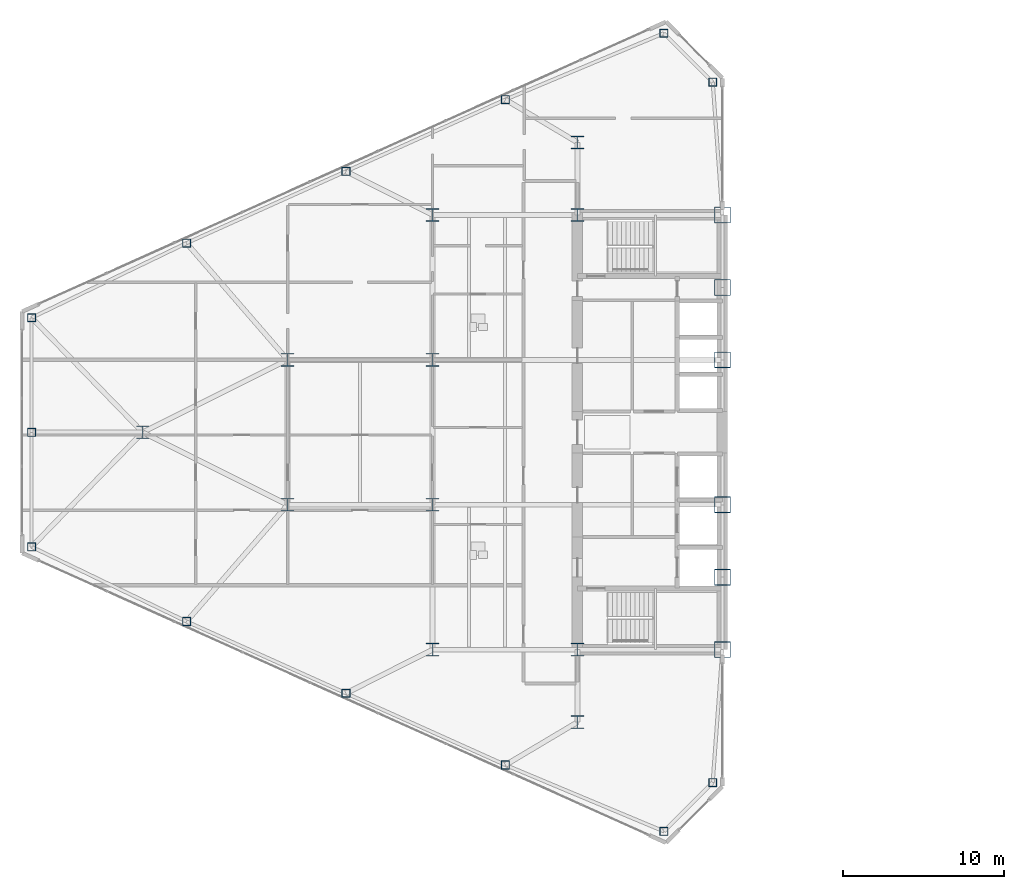
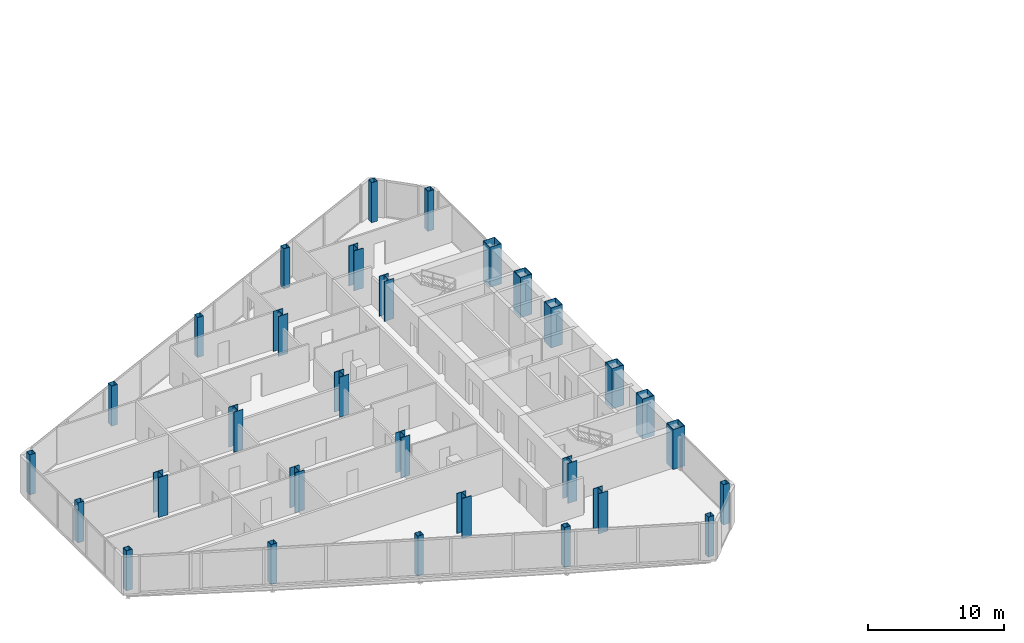
# One storey, part 1 of 27: 30 columns.
"""IFC4 building model written with IfcOpenShell, lengths in metres."""

from ifc_helpers import new_model, si_unit, direction, frame, origin, origin_2d, place, context, subcontext, project, spatial, hollow_rectangle, i_section, extrude, source, transform, mapped, material, material_profile, profile_set, type_object, type_shapes, element, save


model = new_model("IFC4")

# Units and contexts
model_context = context("Model", 3, precision=1e-05, world=origin(), true_north=direction((0.0, 1.0)))
body_context = subcontext(model_context, "Body", "Model", "MODEL_VIEW")
ifc_project = project(units=[si_unit("LENGTHUNIT", "METRE"), si_unit("AREAUNIT", "SQUARE_METRE"), si_unit("VOLUMEUNIT", "CUBIC_METRE"), si_unit("PLANEANGLEUNIT", "RADIAN"), si_unit("MASSUNIT", "GRAM", prefix="KILO")], contexts=[model_context])

# Site, building, storey
site_placement = place(None, origin())
site = spatial("IfcSite", under=ifc_project, at=site_placement, CompositionType="ELEMENT")
building_placement = place(site_placement, origin())
building = spatial("IfcBuilding", under=site, at=building_placement, Name="Seokmaru Belvedere", CompositionType="ELEMENT")
storey_placement = place(building_placement, frame((0.0, 0.0, 83.699951171875)))
storey = spatial("IfcBuildingStorey", under=building, at=storey_placement, Name="L22", CompositionType="ELEMENT", Elevation=83.699951171875)

# Columns
ifc_material_1 = material(Name="Steel SM355 (355 MPa)", Category="steel")
ifc_material_profile_1 = material_profile(ifc_material_1, hollow_rectangle(XDim=0.5, YDim=0.5, WallThickness=0.02001953125, at=origin_2d()), Name="HSS-500x500x20")
ifc_profile_set_1 = profile_set([ifc_material_profile_1], Name="Steel SM355 (355 MPa)")
column_type_1 = type_object("IfcColumnType", Name="Perimeter Facet Column HSS-500", PredefinedType="COLUMN", material=ifc_profile_set_1)
shared_shape_1 = source(origin(), body_context, "Body", "SweptSolid", [
    extrude(hollow_rectangle(XDim=0.5, YDim=0.5, WallThickness=0.02001953125, at=origin_2d()), origin(), (0.0, 0.0, 1.0), 3.60009765625),
])
type_shapes(column_type_1, [shared_shape_1])
for number, where, z_axis, x_axis, name in (
    (1, (-28.10009765625, -21.75146484375, 0.0), (0.0, 0.0, 1.0), (1.0, 0.0, 0.0), "L22 Column WF1"),
    (2, (-28.10009765625, 21.75146484375, 0.0), (0.0, 0.0, 1.0), (1.0, 0.0, 0.0), "L22 Column WF2"),
    (3, (-31.13134765625, 24.782958984375, 0.0), (0.0, 0.0, 1.0), (1.0, 0.0, 0.0), "L22 Column WF3"),
    (4, (-70.39990234375, 7.112060546875, 0.0), (0.0, 0.0, 1.0), (1.0, 0.0, 0.0), "L22 Column WF4"),
    (5, (-70.39990234375, -7.112060546875, 0.0), (0.0, 0.0, 1.0), (1.0, 0.0, 0.0), "L22 Column WF5"),
    (6, (-31.13134765625, -24.782958984375, 0.0), (0.0, 0.0, 1.0), (1.0, 0.0, 0.0), "L22 Column WF6"),
    (7, (-40.97265625, -20.661376953125, 0.0), (0.0, 0.0, 1.0), (1.0, 0.0, 0.0), "L22 Column WFLK_S1"),
    (8, (-50.875, -16.205322265625, 0.0), (0.0, 0.0, 1.0), (1.0, 0.0, 0.0), "L22 Column WFLK_S2"),
    (9, (-60.777587890625, -11.749267578125, 0.0), (0.0, 0.0, 1.0), (1.0, 0.0, 0.0), "L22 Column WFLK_S3"),
    (10, (-40.97265625, 20.661376953125, 0.0), (0.0, 0.0, 1.0), (1.0, 0.0, 0.0), "L22 Column WFLK_N1"),
    (11, (-50.875, 16.205322265625, 0.0), (0.0, 0.0, 1.0), (1.0, 0.0, 0.0), "L22 Column WFLK_N2"),
    (12, (-60.777587890625, 11.749267578125, 0.0), (0.0, 0.0, 1.0), (1.0, 0.0, 0.0), "L22 Column WFLK_N3"),
    (13, (-70.39990234375, 0.0, 0.0), (0.0, 0.0, 1.0), (1.0, 0.0, 0.0), "L22 Column WF_APXM"),
):
    element("IfcColumn", number, at=place(storey_placement, frame(where, z_axis=z_axis, x_axis=x_axis)), inside=storey, type_object=column_type_1, Name=name, PredefinedType="COLUMN", context=body_context, shape_type="MappedRepresentation", body=[
        mapped(shared_shape_1, transform((0.0, 0.0, 0.0), scale=1.0)),
    ])
ifc_material_2 = material(Name="Steel HSA650 (650 MPa)", Category="steel")
ifc_material_profile_2 = material_profile(ifc_material_2, hollow_rectangle(XDim=1.0, YDim=1.0, WallThickness=0.0419921875, at=origin_2d()), Name="BOX-1000x1000x42")
ifc_profile_set_2 = profile_set([ifc_material_profile_2], Name="Steel HSA650 (650 MPa)")
column_type_2 = type_object("IfcColumnType", Name="Portal Spine Column BOX-1000", PredefinedType="COLUMN", material=ifc_profile_set_2)
shared_shape_2 = source(origin(), body_context, "Body", "SweptSolid", [
    extrude(hollow_rectangle(XDim=1.0, YDim=1.0, WallThickness=0.0419921875, at=origin_2d()), origin(), (0.0, 0.0, 1.0), 3.60009765625),
])
type_shapes(column_type_2, [shared_shape_2])
for number, where, z_axis, x_axis, name in (
    (14, (-27.5, -13.5, 0.0), (0.0, 0.0, 1.0), (1.0, 0.0, 0.0), "L22 Column WS1"),
    (15, (-27.5, -9.0, 0.0), (0.0, 0.0, 1.0), (1.0, 0.0, 0.0), "L22 Column WS2"),
    (16, (-27.5, -4.5, 0.0), (0.0, 0.0, 1.0), (1.0, 0.0, 0.0), "L22 Column WS3"),
    (17, (-27.5, 4.5, 0.0), (0.0, 0.0, 1.0), (1.0, 0.0, 0.0), "L22 Column WS4"),
    (18, (-27.5, 9.0, 0.0), (0.0, 0.0, 1.0), (1.0, 0.0, 0.0), "L22 Column WS5"),
    (19, (-27.5, 13.5, 0.0), (0.0, 0.0, 1.0), (1.0, 0.0, 0.0), "L22 Column WS6"),
):
    element("IfcColumn", number, at=place(storey_placement, frame(where, z_axis=z_axis, x_axis=x_axis)), inside=storey, type_object=column_type_2, Name=name, PredefinedType="COLUMN", context=body_context, shape_type="MappedRepresentation", body=[
        mapped(shared_shape_2, transform((0.0, 0.0, 0.0), scale=1.0)),
    ])
ifc_material_profile_3 = material_profile(ifc_material_1, i_section(OverallWidth=0.800048828125, OverallDepth=0.800048828125, WebThickness=0.031982421875, FlangeThickness=0.050048828125, at=origin_2d()), Name="H-800x800x32x50")
ifc_profile_set_3 = profile_set([ifc_material_profile_3], Name="Steel SM355 (355 MPa)")
column_type_3 = type_object("IfcColumnType", Name="Lower-Mid Interior Column H-800", PredefinedType="COLUMN", material=ifc_profile_set_3)
shared_shape_3 = source(origin(), body_context, "Body", "SweptSolid", [
    extrude(i_section(OverallWidth=0.800048828125, OverallDepth=0.800048828125, WebThickness=0.031982421875, FlangeThickness=0.050048828125, at=origin_2d()), origin(), (0.0, 0.0, 1.0), 3.60009765625),
])
type_shapes(column_type_3, [shared_shape_3])
for number, where, z_axis, x_axis, name in (
    (20, (-36.5, -18.0, 0.0), (0.0, 0.0, 1.0), (1.0, 0.0, 0.0), "L22 Column WC1"),
    (21, (-36.5, -13.5, 0.0), (0.0, 0.0, 1.0), (1.0, 0.0, 0.0), "L22 Column WC2"),
    (22, (-36.5, 13.5, 0.0), (0.0, 0.0, 1.0), (1.0, 0.0, 0.0), "L22 Column WC3"),
    (23, (-36.5, 18.0, 0.0), (0.0, 0.0, 1.0), (1.0, 0.0, 0.0), "L22 Column WC4"),
    (24, (-45.5, -13.5, 0.0), (0.0, 0.0, 1.0), (1.0, 0.0, 0.0), "L22 Column WG5_1"),
    (25, (-45.5, -4.5, 0.0), (0.0, 0.0, 1.0), (1.0, 0.0, 0.0), "L22 Column WG5_2"),
    (26, (-45.5, 4.5, 0.0), (0.0, 0.0, 1.0), (1.0, 0.0, 0.0), "L22 Column WG5_3"),
    (27, (-45.5, 13.5, 0.0), (0.0, 0.0, 1.0), (1.0, 0.0, 0.0), "L22 Column WG5_4"),
    (28, (-54.5, -4.5, 0.0), (0.0, 0.0, 1.0), (1.0, 0.0, 0.0), "L22 Column WG4P_1"),
    (29, (-54.5, 4.5, 0.0), (0.0, 0.0, 1.0), (1.0, 0.0, 0.0), "L22 Column WG4P_2"),
    (30, (-63.5, 0.0, 0.0), (0.0, 0.0, 1.0), (1.0, 0.0, 0.0), "L22 Column WG3P_1"),
):
    element("IfcColumn", number, at=place(storey_placement, frame(where, z_axis=z_axis, x_axis=x_axis)), inside=storey, type_object=column_type_3, Name=name, PredefinedType="COLUMN", context=body_context, shape_type="MappedRepresentation", body=[
        mapped(shared_shape_3, transform((0.0, 0.0, 0.0), scale=1.0)),
    ])

save(model, "model.ifc")
